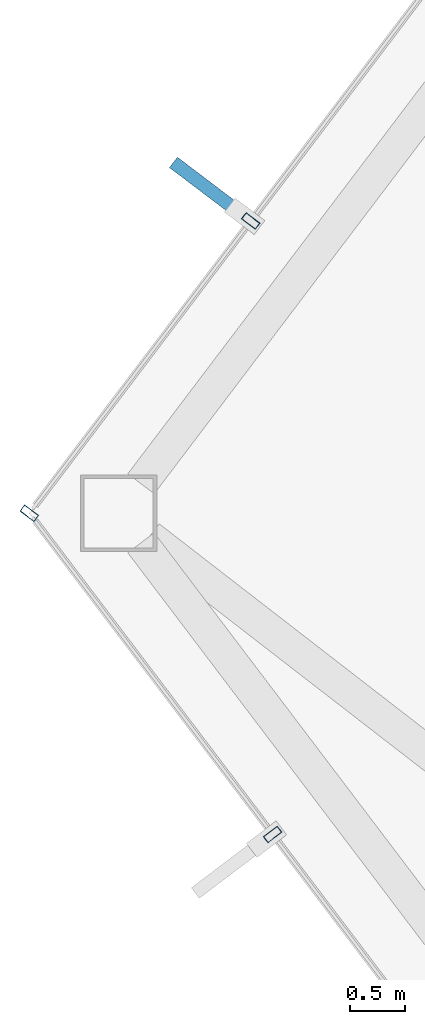
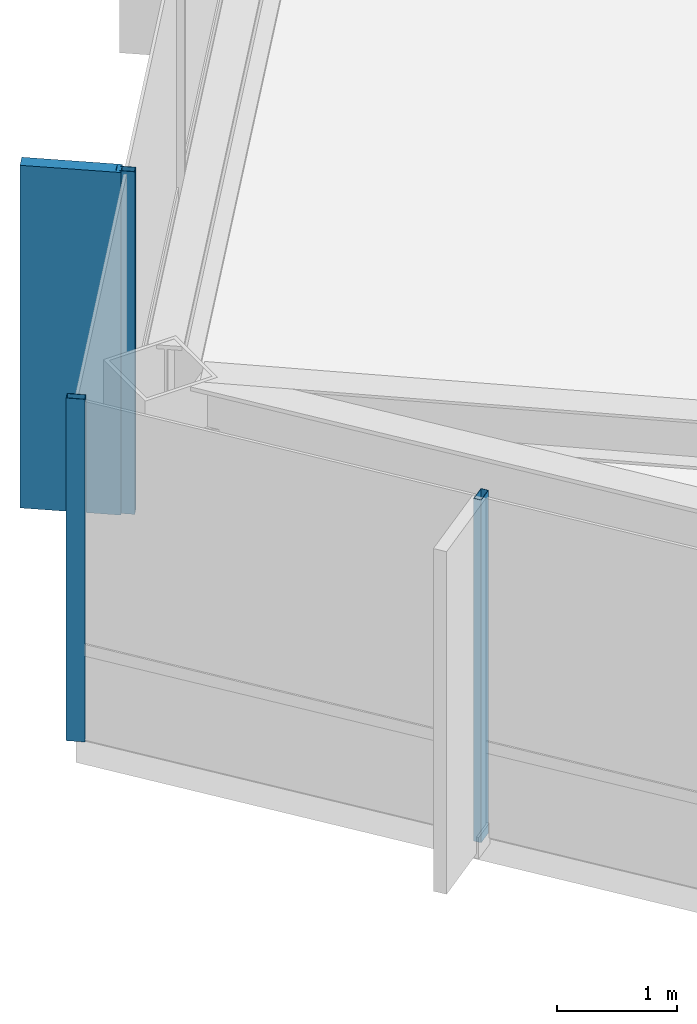
# One storey, part 10 of 28: 4 members, 2 elements without a shape of their own.
"""IFC4 building model written with IfcOpenShell, lengths in metres."""

import ifcopenshell
import ifcopenshell.guid

model = None  # the IFC model being written
_history = None  # IfcOwnerHistory: only IFC2X3 demands one
_inside = {}  # id of a spatial element -> (the spatial element, [elements in it])
_under = {}  # id of a project, library or spatial element -> (it, [spatial elements below it])
_declared = {}  # id of a project -> (the project, [libraries it declares])
_typed = {}  # id of a type object -> (the type object, [elements of that type])
_made_of = {}  # id of a material, layer set ... -> (it, [elements and type objects made of it])


def new_model(schema):
    """Start an empty IFC model of exactly this schema.

    Asked for "IFC4X3", IfcOpenShell would pick the latest addendum, in which some entities
    have other attributes; the version numbers below select the first issue.
    IFC2X3 requires an IfcOwnerHistory on every rooted entity: one is made here for all.
    """
    global model, _history
    if schema == "IFC4X3":
        model = ifcopenshell.file(schema_version=(4, 3, 0, 0))
    else:
        model = ifcopenshell.file(schema=schema)
    _inside.clear()
    _under.clear()
    _declared.clear()
    _typed.clear()
    _made_of.clear()
    _history = None
    if model.schema == "IFC2X3":
        org = make("IfcOrganization", Name="unknown")
        user = make(
            "IfcPersonAndOrganization",
            ThePerson=make("IfcPerson", FamilyName="unknown"),
            TheOrganization=org,
        )
        app = make(
            "IfcApplication",
            ApplicationDeveloper=org,
            Version="unknown",
            ApplicationFullName="unknown",
            ApplicationIdentifier="unknown",
        )
        _history = make(
            "IfcOwnerHistory",
            OwningUser=user,
            OwningApplication=app,
            ChangeAction="ADDED",
            CreationDate=0,
        )
    return model


def make(cls, **values):
    """One entity of the class cls with the attributes given. An attribute that is None is left unset."""
    return model.create_entity(
        cls, **{name: value for name, value in values.items() if value is not None}
    )


def rooted(cls, **values):
    """An entity with a GlobalId (a new one), such as an element, a storey or a relation."""
    return make(cls, GlobalId=ifcopenshell.guid.new(), OwnerHistory=_history, **values)


def si_unit(unit_type, name, prefix=None):
    """IfcSIUnit, for example si_unit("LENGTHUNIT", "METRE", prefix="MILLI")."""
    return make("IfcSIUnit", UnitType=unit_type, Prefix=prefix, Name=name)


def assignment(units):
    """IfcUnitAssignment: the units of a project."""
    return None if units is None else make("IfcUnitAssignment", Units=units)


def point(xyz):
    """IfcCartesianPoint."""
    return None if xyz is None else make("IfcCartesianPoint", Coordinates=xyz)


def direction(xyz):
    """IfcDirection."""
    return None if xyz is None else make("IfcDirection", DirectionRatios=xyz)


def frame(location, z_axis=None, x_axis=None):
    """IfcAxis2Placement3D, a coordinate frame: its origin and axes. An axis left out is left unset."""
    return make(
        "IfcAxis2Placement3D",
        Location=point(location),
        Axis=direction(z_axis),
        RefDirection=direction(x_axis),
    )


def frame_2d(location, x_axis=None):
    """IfcAxis2Placement2D, a coordinate frame in the plane: its origin and x axis."""
    return make(
        "IfcAxis2Placement2D", Location=point(location), RefDirection=direction(x_axis)
    )


def origin():
    """The frame at (0, 0, 0) with its axes left unset."""
    return frame((0.0, 0.0, 0.0))


def origin_2d():
    """The frame at (0, 0) in the plane with its x axis left unset."""
    return frame_2d((0.0, 0.0))


def place(relative_to, where):
    """IfcLocalPlacement: puts the frame where relative to a parent placement (None: the world)."""
    return make(
        "IfcLocalPlacement", PlacementRelTo=relative_to, RelativePlacement=where
    )


def context(
    kind, dimensions, precision=None, world=None, true_north=None, identifier=None
):
    """IfcGeometricRepresentationContext, for example the 3D "Model" context."""
    return make(
        "IfcGeometricRepresentationContext",
        ContextIdentifier=identifier,
        ContextType=kind,
        CoordinateSpaceDimension=dimensions,
        Precision=precision,
        WorldCoordinateSystem=world,
        TrueNorth=true_north,
    )


def subcontext(parent, identifier, kind, view, scale=None):
    """IfcGeometricRepresentationSubContext, for example "Body" below "Model"."""
    return make(
        "IfcGeometricRepresentationSubContext",
        ContextIdentifier=identifier,
        ContextType=kind,
        ParentContext=parent,
        TargetScale=scale,
        TargetView=view,
    )


def project(units=None, contexts=None):
    """IfcProject with its units and contexts."""
    return rooted(
        "IfcProject",
        Name="project",
        RepresentationContexts=contexts,
        UnitsInContext=assignment(units),
    )


def spatial(cls, under=None, at=None, **own):
    """A site, building, storey or space (cls), placed at a placement, below another one or the project."""
    s = rooted(cls, ObjectPlacement=at, **own)
    if under is not None:
        _under.setdefault(under.id(), (under, []))[1].append(s)
    return s


def profile(cls, at=None, kind="AREA", **sizes):
    """A parametric profile (cls). Its sizes go by their IFC names, for example OverallWidth=200.0."""
    return make(cls, ProfileType=kind, Position=at, **sizes)


def rectangle(**sizes):
    """IfcRectangleProfileDef."""
    return profile("IfcRectangleProfileDef", **sizes)


def hollow_rectangle(**sizes):
    """IfcRectangleHollowProfileDef."""
    return profile("IfcRectangleHollowProfileDef", **sizes)


def extrude(swept, where, along, depth):
    """IfcExtrudedAreaSolid: the profile swept, set in the frame where, extruded along a direction by depth."""
    return make(
        "IfcExtrudedAreaSolid",
        SweptArea=swept,
        Position=where,
        ExtrudedDirection=direction(along),
        Depth=depth,
    )


def shape(context_of_items, identifier, shape_type, items):
    """IfcShapeRepresentation: the items that make up one representation, for example the "Body"."""
    return make(
        "IfcShapeRepresentation",
        ContextOfItems=context_of_items,
        RepresentationIdentifier=identifier,
        RepresentationType=shape_type,
        Items=items,
    )


def material(Name=None, Category=None):
    """IfcMaterial."""
    return make("IfcMaterial", Name=Name, Category=Category)


def layer(
    of_material, thickness, ventilated=None, Name=None, Category=None, Priority=None
):
    """IfcMaterialLayer: one layer of a wall or slab, of a material (None: an air gap)."""
    return make(
        "IfcMaterialLayer",
        Material=of_material,
        LayerThickness=thickness,
        IsVentilated=ventilated,
        Name=Name,
        Category=Category,
        Priority=Priority,
    )


def layer_set(layers, Name=None):
    """IfcMaterialLayerSet."""
    return make("IfcMaterialLayerSet", MaterialLayers=layers, LayerSetName=Name)


def material_profile(
    of_material, cross_section, Name=None, Category=None, Priority=None
):
    """IfcMaterialProfile: a cross section and its material."""
    return make(
        "IfcMaterialProfile",
        Name=Name,
        Material=of_material,
        Profile=cross_section,
        Priority=Priority,
        Category=Category,
    )


def profile_set(profiles, Name=None, composite=None):
    """IfcMaterialProfileSet."""
    return make(
        "IfcMaterialProfileSet",
        Name=Name,
        MaterialProfiles=profiles,
        CompositeProfile=composite,
    )


def made_of(thing, what):
    """Note that an element or type object is made of a material, layer set ...; save() writes the relation."""
    if what is not None:
        _made_of.setdefault(what.id(), (what, []))[1].append(thing)
    return thing


def type_object(cls, material=None, **own):
    """A type object (cls), such as IfcWallType, which elements share."""
    return made_of(rooted(cls, **own), material)


def element(
    cls,
    number,
    at=None,
    inside=None,
    cuts=None,
    type_object=None,
    material=None,
    context=None,
    identifier="Body",
    shape_type=None,
    held_by="IfcProductDefinitionShape",
    body=None,
    shapes=None,
    **own,
):
    """One element of the class cls, such as IfcWall. Its Tag is "e" and its number.

    at: its placement. inside: the storey or other place that contains it. cuts: it is an
    opening in that element (IfcRelVoidsElement). A single representation is given by context,
    identifier, shape_type and body (its items); several are given by shapes. held_by: the class
    of the entity that holds the representations. save() writes the other relations.
    """
    e = rooted(cls, Tag="e%d" % number, ObjectPlacement=at, **own)
    if body is not None:
        shapes = [shape(context, identifier, shape_type, body)]
    if shapes is not None:
        e.Representation = make(held_by, Representations=shapes)
    if inside is not None:
        _inside.setdefault(inside.id(), (inside, []))[1].append(e)
    if cuts is not None:
        rooted(
            "IfcRelVoidsElement", RelatingBuildingElement=cuts, RelatedOpeningElement=e
        )
    if type_object is not None:
        _typed.setdefault(type_object.id(), (type_object, []))[1].append(e)
    return made_of(e, material)


def aggregate(whole, parts):
    """IfcRelAggregates: a whole, such as a stair, and the parts it consists of."""
    return rooted("IfcRelAggregates", RelatingObject=whole, RelatedObjects=parts)


def save(model, path):
    """Write the relations noted so far, then the file.

    IfcRelAggregates (storeys below a building ...), IfcRelContainedInSpatialStructure (elements
    in a storey), IfcRelDefinesByType, IfcRelAssociatesMaterial and IfcRelDeclares: one each for
    every whole, place, type object, material and project.
    """
    for whole, parts in _under.values():
        aggregate(whole, parts)
    for where, things in _inside.values():
        rooted(
            "IfcRelContainedInSpatialStructure",
            RelatedElements=things,
            RelatingStructure=where,
        )
    for kind, things in _typed.values():
        rooted("IfcRelDefinesByType", RelatedObjects=things, RelatingType=kind)
    for what, things in _made_of.values():
        rooted("IfcRelAssociatesMaterial", RelatedObjects=things, RelatingMaterial=what)
    for by, libraries in _declared.values():
        rooted("IfcRelDeclares", RelatingContext=by, RelatedDefinitions=libraries)
    model.write(path)


model = new_model("IFC4")

# Units and contexts
model_context = context("Model", 3, precision=1e-05, world=origin(), true_north=direction((0.0, 1.0)))
body_context = subcontext(model_context, "Body", "Model", "MODEL_VIEW")
ifc_project = project(units=[si_unit("LENGTHUNIT", "METRE"), si_unit("AREAUNIT", "SQUARE_METRE"), si_unit("VOLUMEUNIT", "CUBIC_METRE"), si_unit("PLANEANGLEUNIT", "RADIAN"), si_unit("MASSUNIT", "GRAM", prefix="KILO")], contexts=[model_context])

# Site, building, storey
site_placement = place(None, origin())
site = spatial("IfcSite", under=ifc_project, at=site_placement, CompositionType="ELEMENT")
building_placement = place(site_placement, origin())
building = spatial("IfcBuilding", under=site, at=building_placement, Name="Zarrinselat Tower", CompositionType="ELEMENT")
storey_placement = place(building_placement, frame((0.0, 0.0, 164.56005859375)))
storey = spatial("IfcBuildingStorey", under=building, at=storey_placement, Name="L40", CompositionType="ELEMENT", Elevation=164.56005859375)

# Curtain wall, members
ifc_material_1 = material(Name="Extruded Aluminium Alloy EN AW-6063 T6", Category="aluminium")
ifc_layer = layer(ifc_material_1, 0.175048828125)
ifc_layer_set = layer_set([ifc_layer], Name="Extruded Aluminium Alloy EN AW-6063 T6")
curtain_wall_type = type_object("IfcCurtainWallType", Name="CWS-HTL", PredefinedType="NOTDEFINED", material=ifc_layer_set)
curtain_wall_1_placement = place(storey_placement, origin())
curtain_wall_1 = element("IfcCurtainWall", 1, at=curtain_wall_1_placement, inside=storey, type_object=curtain_wall_type, Name="L40 Unitised Curtain Wall CW-L40-E02", PredefinedType="NOTDEFINED")
ifc_material_2 = material(Name="Extruded Aluminium Alloy EN AW-6063 T6", Category="aluminium")
ifc_material_profile_1 = material_profile(ifc_material_2, hollow_rectangle(XDim=0.070068359375, YDim=0.159912109375, WallThickness=0.00390625, at=origin_2d()), Name="RHS 160x70x4")
ifc_profile_set_1 = profile_set([ifc_material_profile_1], Name="Extruded Aluminium Alloy EN AW-6063 T6")
member_type_1 = type_object("IfcMemberType", Name="MEM-CW-MUL2", PredefinedType="MULLION", material=ifc_profile_set_1)
member_1_placement = place(storey_placement, frame((17.214111328125, 40.838134765625, 0.0), z_axis=(0.0, 0.0, 1.0), x_axis=(-0.603854523079, -0.797094545808, 0.0)))
member_1 = element("IfcMember", 2, at=member_1_placement, type_object=member_type_1, Name="CW-L40-E02 Mullion 3", PredefinedType="MULLION", context=body_context, shape_type="SweptSolid", body=[
    extrude(hollow_rectangle(XDim=0.070068359375, YDim=0.159912109375, WallThickness=0.00390625, at=origin_2d()), origin(), (0.0, 0.0, 1.0), 3.5),
])
member_2_placement = place(storey_placement, frame((15.19384765625, 38.171142578125, 0.0), z_axis=(0.0, 0.0, 1.0), x_axis=(-0.603854523079, -0.797094545808, 0.0)))
member_2 = element("IfcMember", 3, at=member_2_placement, type_object=member_type_1, Name="CW-L40-E02 Mullion 4", PredefinedType="MULLION", context=body_context, shape_type="SweptSolid", body=[
    extrude(hollow_rectangle(XDim=0.070068359375, YDim=0.159912109375, WallThickness=0.00390625, at=origin_2d()), origin(), (0.0, 0.0, 1.0), 3.5),
])

# Curtain wall, member
curtain_wall_2_placement = place(storey_placement, origin())
curtain_wall_2 = element("IfcCurtainWall", 4, at=curtain_wall_2_placement, inside=storey, type_object=curtain_wall_type, Name="L40 Unitised Curtain Wall CW-L40-E03", PredefinedType="NOTDEFINED")
member_3_placement = place(storey_placement, frame((17.414306640625, 35.239990234375, 0.0), z_axis=(0.0, 0.0, 1.0), x_axis=(0.603857987184, -0.797091921496, 0.0)))
member_3 = element("IfcMember", 5, at=member_3_placement, type_object=member_type_1, Name="CW-L40-E03 Mullion 1", PredefinedType="MULLION", context=body_context, shape_type="SweptSolid", body=[
    extrude(hollow_rectangle(XDim=0.070068359375, YDim=0.159912109375, WallThickness=0.00390625, at=origin_2d()), origin(), (0.0, 0.0, 1.0), 3.5),
])
aggregate(curtain_wall_2, [member_3])

# Member
ifc_material_3 = material(Name="Honed Cream Travertine Stone", Category="masonry")
ifc_material_profile_2 = material_profile(ifc_material_3, rectangle(XDim=0.1201171875, YDim=0.85009765625, at=origin_2d()), Name="FIN 850x120")
ifc_profile_set_2 = profile_set([ifc_material_profile_2], Name="Honed Cream Travertine Stone")
member_type_2 = type_object("IfcMemberType", Name="MEM-STONE-FIN", PredefinedType="USERDEFINED", material=ifc_profile_set_2)
member_4_placement = place(storey_placement, frame((16.847412109375, 41.115966796875, 0.0), z_axis=(0.0, 0.0, 1.0), x_axis=(0.603854523079, 0.797094545808, 0.0)))
member_4 = element("IfcMember", 6, at=member_4_placement, type_object=member_type_2, Name="L40 Stone Shading Fin CW-L40-E02-03", ObjectType="FIN", PredefinedType="USERDEFINED", context=body_context, shape_type="SweptSolid", body=[
    extrude(rectangle(XDim=0.1201171875, YDim=0.85009765625, at=origin_2d()), origin(), (0.0, 0.0, 1.0), 3.5),
])

aggregate(curtain_wall_1, [member_1, member_4, member_2])

save(model, "model.ifc")
